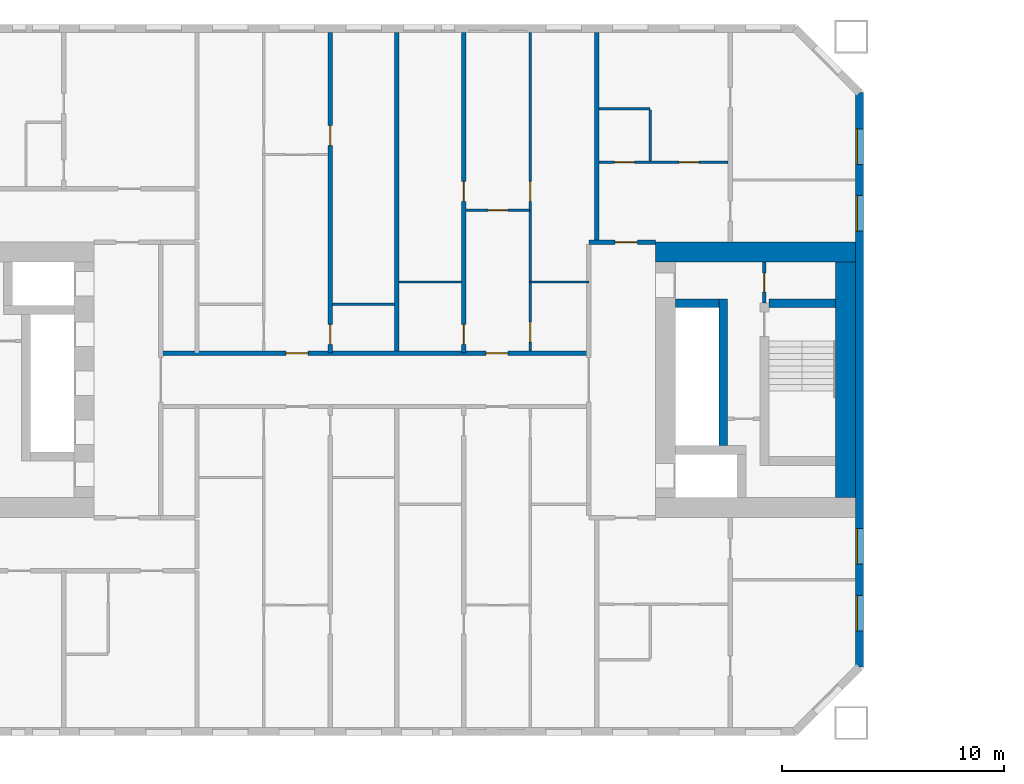
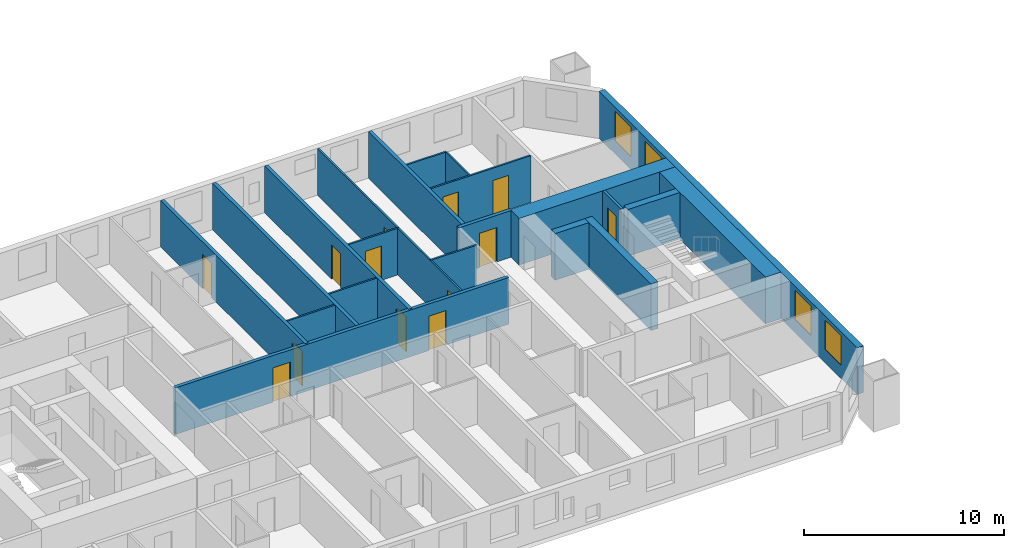
# One storey, part 8 of 17: 21 walls, 13 doors, 4 windows, 17 openings.
"""IFC4 building model written with IfcOpenShell, lengths in metres."""

from ifc_helpers import new_model, si_unit, direction, frame, frame_2d, origin, place, context, subcontext, project, spatial, rectangle, extrude, material, layer, layer_set, type_object, element, fill, save


model = new_model("IFC4")

# Units and contexts
model_context = context("Model", 3, precision=1e-05, world=origin(), true_north=direction((0.0, 1.0)))
body_context = subcontext(model_context, "Body", "Model", "MODEL_VIEW")
ifc_project = project(units=[si_unit("LENGTHUNIT", "METRE"), si_unit("AREAUNIT", "SQUARE_METRE"), si_unit("VOLUMEUNIT", "CUBIC_METRE"), si_unit("PLANEANGLEUNIT", "RADIAN"), si_unit("MASSUNIT", "GRAM", prefix="KILO")], contexts=[model_context])

# Site, building, storey
site_placement = place(None, origin())
site = spatial("IfcSite", under=ifc_project, at=site_placement, CompositionType="ELEMENT")
building_placement = place(site_placement, origin())
building = spatial("IfcBuilding", under=site, at=building_placement, Name="Tuart Gate Housing", CompositionType="ELEMENT")
storey_placement = place(building_placement, frame((0.0, 0.0, 28.800048828125)))
storey = spatial("IfcBuildingStorey", under=building, at=storey_placement, Name="L07", CompositionType="ELEMENT", Elevation=28.800048828125)

# Wall, openings, windows
ifc_material_1 = material(Name="Brick", Category="masonry")
ifc_layer_1 = layer(ifc_material_1, 0.360107421875)
ifc_layer_set_1 = layer_set([ifc_layer_1], Name="Brick pier and spandrel wall 360")
wall_type_1 = type_object("IfcWallType", Name="Brick pier and spandrel wall 360", PredefinedType="STANDARD", material=ifc_layer_set_1)
wall_1_placement = place(storey_placement, frame((75.820068359375, 57.07470703125, 0.0), z_axis=(0.0, 0.0, 1.0), x_axis=(0.0, 1.0, 0.0)))
wall_1 = element("IfcWall", 1, at=wall_1_placement, inside=storey, type_object=wall_type_1, Name="External wall A-E L07", PredefinedType="STANDARD", context=body_context, shape_type="SweptSolid", body=[
    extrude(rectangle(XDim=25.850830078125, YDim=0.360107421875, at=frame_2d((12.92529296875, 0.0))), origin(), (0.0, 0.0, 1.0), 2.849853515625),
])
opening_1_placement = place(wall_1_placement, frame((1.62548828125, 0.0, 0.800048828125)))
opening_1 = element("IfcOpeningElement", 2, at=opening_1_placement, cuts=wall_1, Name="Opening W1", PredefinedType="OPENING", context=body_context, shape_type="SweptSolid", body=[
    extrude(rectangle(XDim=1.60009765625, YDim=1.800048828125, at=frame_2d((0.800048828125, 0.89990234375))), frame((0.0, 0.18994140625, 0.0), z_axis=(0.0, -1.0, 0.0), x_axis=(1.0, 0.0, 0.0)), (0.0, 0.0, 1.0), 0.380126953125),
])
opening_2_placement = place(wall_1_placement, frame((4.62548828125, 0.0, 0.800048828125)))
opening_2 = element("IfcOpeningElement", 3, at=opening_2_placement, cuts=wall_1, Name="Opening W1", PredefinedType="OPENING", context=body_context, shape_type="SweptSolid", body=[
    extrude(rectangle(XDim=1.60009765625, YDim=1.800048828125, at=frame_2d((0.800048828125, 0.89990234375))), frame((0.0, 0.18994140625, 0.0), z_axis=(0.0, -1.0, 0.0), x_axis=(1.0, 0.0, 0.0)), (0.0, 0.0, 1.0), 0.380126953125),
])
opening_3_placement = place(wall_1_placement, frame((19.62548828125, 0.0, 0.800048828125)))
opening_3 = element("IfcOpeningElement", 4, at=opening_3_placement, cuts=wall_1, Name="Opening W1", PredefinedType="OPENING", context=body_context, shape_type="SweptSolid", body=[
    extrude(rectangle(XDim=1.60009765625, YDim=1.800048828125, at=frame_2d((0.800048828125, 0.89990234375))), frame((0.0, 0.18994140625, 0.0), z_axis=(0.0, -1.0, 0.0), x_axis=(1.0, 0.0, 0.0)), (0.0, 0.0, 1.0), 0.380126953125),
])
opening_4_placement = place(wall_1_placement, frame((22.62548828125, 0.0, 0.800048828125)))
opening_4 = element("IfcOpeningElement", 5, at=opening_4_placement, cuts=wall_1, Name="Opening W1", PredefinedType="OPENING", context=body_context, shape_type="SweptSolid", body=[
    extrude(rectangle(XDim=1.60009765625, YDim=1.800048828125, at=frame_2d((0.800048828125, 0.89990234375))), frame((0.0, 0.18994140625, 0.0), z_axis=(0.0, -1.0, 0.0), x_axis=(1.0, 0.0, 0.0)), (0.0, 0.0, 1.0), 0.380126953125),
])
ifc_material_2 = material(Name="Aluminium frame with clear glass", Category="aluminium")
window_type = type_object("IfcWindowType", Name="Punched window 1600 x 1800", PartitioningType="SINGLE_PANEL", PredefinedType="WINDOW", material=ifc_material_2)
window_1_placement = place(opening_1_placement, origin())
window_1 = element("IfcWindow", 6, at=window_1_placement, inside=storey, type_object=window_type, Name="Window W1", OverallHeight=1.800048828125, OverallWidth=1.60009765625, PartitioningType="SINGLE_PANEL", PredefinedType="WINDOW", context=body_context, shape_type="SweptSolid", body=[
    extrude(rectangle(XDim=1.60009765625, YDim=1.800048828125, at=frame_2d((0.800048828125, 0.89990234375))), frame((0.0, 0.150146484375, 0.0), z_axis=(0.0, -1.0, 0.0), x_axis=(1.0, 0.0, 0.0)), (0.0, 0.0, 1.0), 0.06005859375),
])
fill(opening_1, window_1)
window_2_placement = place(opening_2_placement, origin())
window_2 = element("IfcWindow", 7, at=window_2_placement, inside=storey, type_object=window_type, Name="Window W1", OverallHeight=1.800048828125, OverallWidth=1.60009765625, PartitioningType="SINGLE_PANEL", PredefinedType="WINDOW", context=body_context, shape_type="SweptSolid", body=[
    extrude(rectangle(XDim=1.60009765625, YDim=1.800048828125, at=frame_2d((0.800048828125, 0.89990234375))), frame((0.0, 0.150146484375, 0.0), z_axis=(0.0, -1.0, 0.0), x_axis=(1.0, 0.0, 0.0)), (0.0, 0.0, 1.0), 0.06005859375),
])
fill(opening_2, window_2)
window_3_placement = place(opening_3_placement, origin())
window_3 = element("IfcWindow", 8, at=window_3_placement, inside=storey, type_object=window_type, Name="Window W1", OverallHeight=1.800048828125, OverallWidth=1.60009765625, PartitioningType="SINGLE_PANEL", PredefinedType="WINDOW", context=body_context, shape_type="SweptSolid", body=[
    extrude(rectangle(XDim=1.60009765625, YDim=1.800048828125, at=frame_2d((0.800048828125, 0.89990234375))), frame((0.0, 0.150146484375, 0.0), z_axis=(0.0, -1.0, 0.0), x_axis=(1.0, 0.0, 0.0)), (0.0, 0.0, 1.0), 0.06005859375),
])
fill(opening_3, window_3)
window_4_placement = place(opening_4_placement, origin())
window_4 = element("IfcWindow", 9, at=window_4_placement, inside=storey, type_object=window_type, Name="Window W1", OverallHeight=1.800048828125, OverallWidth=1.60009765625, PartitioningType="SINGLE_PANEL", PredefinedType="WINDOW", context=body_context, shape_type="SweptSolid", body=[
    extrude(rectangle(XDim=1.60009765625, YDim=1.800048828125, at=frame_2d((0.800048828125, 0.89990234375))), frame((0.0, 0.150146484375, 0.0), z_axis=(0.0, -1.0, 0.0), x_axis=(1.0, 0.0, 0.0)), (0.0, 0.0, 1.0), 0.06005859375),
])
fill(opening_4, window_4)

# Wall, opening, door
ifc_material_3 = material(Name="Plasterboard partition")
ifc_layer_2 = layer(ifc_material_3, 0.14990234375)
ifc_layer_set_2 = layer_set([ifc_layer_2], Name="Core partition 150")
wall_type_2 = type_object("IfcWallType", Name="Core partition 150", PredefinedType="PARTITIONING", material=ifc_layer_set_2)
wall_2_placement = place(storey_placement, frame((71.5400390625, 73.449951171875, 0.0), z_axis=(0.0, 0.0, 1.0), x_axis=(0.0, 1.0, 0.0)))
wall_2 = element("IfcWall", 10, at=wall_2_placement, inside=storey, type_object=wall_type_2, Name="Core partition AG.9", PredefinedType="PARTITIONING", context=body_context, shape_type="SweptSolid", body=[
    extrude(rectangle(XDim=1.85009765625, YDim=0.14990234375, at=frame_2d((0.925048828125, 0.0))), origin(), (0.0, 0.0, 1.0), 2.849853515625),
])
opening_5_placement = place(wall_2_placement, frame((0.5, 0.0, 0.0)))
opening_5 = element("IfcOpeningElement", 11, at=opening_5_placement, cuts=wall_2, Name="Opening D492", PredefinedType="OPENING", context=body_context, shape_type="SweptSolid", body=[
    extrude(rectangle(XDim=0.85009765625, YDim=2.10009765625, at=frame_2d((0.425048828125, 1.050048828125))), frame((0.0, 0.0849609375, 0.0), z_axis=(0.0, -1.0, 0.0), x_axis=(1.0, 0.0, 0.0)), (0.0, 0.0, 1.0), 0.169921875),
])
ifc_material_4 = material(Name="Steel fire door", Category="steel")
door_type_1 = type_object("IfcDoorType", Name="Service door 850 x 2100 RH", OperationType="SINGLE_SWING_RIGHT", PredefinedType="DOOR", material=ifc_material_4)
door_1_placement = place(opening_5_placement, frame((0.85009765625, 0.0, 0.0), z_axis=(0.0, 0.0, 1.0), x_axis=(-1.0, 0.0, 0.0)))
door_1 = element("IfcDoor", 12, at=door_1_placement, inside=storey, type_object=door_type_1, Name="Service room door AG.ST", OperationType="SINGLE_SWING_RIGHT", OverallHeight=2.10009765625, OverallWidth=0.85009765625, PredefinedType="DOOR", context=body_context, shape_type="SweptSolid", body=[
    extrude(rectangle(XDim=0.85009765625, YDim=2.10009765625, at=frame_2d((0.425048828125, 1.050048828125))), frame((0.0, 0.025146484375, 0.0), z_axis=(0.0, -1.0, 0.0), x_axis=(1.0, 0.0, 0.0)), (0.0, 0.0, 1.0), 0.050048828125),
])
fill(opening_5, door_1)

# Walls
ifc_material_5 = material(Name="Concrete C60", Category="concrete")
ifc_layer_3 = layer(ifc_material_5, 0.39990234375)
ifc_layer_set_3 = layer_set([ifc_layer_3], Name="Core wall 400 C60")
wall_type_3 = type_object("IfcWallType", Name="Core wall 400 C60", PredefinedType="SHEAR", material=ifc_layer_set_3)
wall_3_placement = place(storey_placement, frame((67.5400390625, 73.449951171875, 0.0), z_axis=(0.0, 0.0, 1.0), x_axis=(1.0, 0.0, 0.0)))
element("IfcWall", 13, at=wall_3_placement, inside=storey, type_object=wall_type_3, Name="Core wall AG.4", PredefinedType="SHEAR", context=body_context, shape_type="SweptSolid", body=[
    extrude(rectangle(XDim=1.949951171875, YDim=0.39990234375, at=frame_2d((0.97509765625, 0.0))), origin(), (0.0, 0.0, 1.0), 2.849853515625),
])
wall_4_placement = place(storey_placement, frame((71.739990234375, 73.449951171875, 0.0), z_axis=(0.0, 0.0, 1.0), x_axis=(1.0, 0.0, 0.0)))
element("IfcWall", 14, at=wall_4_placement, inside=storey, type_object=wall_type_3, Name="Core wall AG.5", PredefinedType="SHEAR", context=body_context, shape_type="SweptSolid", body=[
    extrude(rectangle(XDim=3.0, YDim=0.39990234375, at=frame_2d((1.5, 0.0))), origin(), (0.0, 0.0, 1.0), 2.849853515625),
])
wall_5_placement = place(storey_placement, frame((69.68994140625, 67.050048828125, 0.0), z_axis=(0.0, 0.0, 1.0), x_axis=(0.0, 1.0, 0.0)))
element("IfcWall", 15, at=wall_5_placement, inside=storey, type_object=wall_type_3, Name="Core wall AG.6", PredefinedType="SHEAR", context=body_context, shape_type="SweptSolid", body=[
    extrude(rectangle(XDim=6.599853515625, YDim=0.39990234375, at=frame_2d((3.2998046875, 0.0))), origin(), (0.0, 0.0, 1.0), 2.849853515625),
])
ifc_material_6 = material(Name="Concrete C60", Category="concrete")
ifc_layer_4 = layer(ifc_material_6, 0.89990234375)
ifc_layer_set_4 = layer_set([ifc_layer_4], Name="Core wall 900 C60")
wall_type_4 = type_object("IfcWallType", Name="Core wall 900 C60", PredefinedType="SHEAR", material=ifc_layer_set_4)
wall_6_placement = place(storey_placement, frame((75.18994140625, 64.699951171875, 0.0), z_axis=(0.0, 0.0, 1.0), x_axis=(0.0, 1.0, 0.0)))
element("IfcWall", 16, at=wall_6_placement, inside=storey, type_object=wall_type_4, Name="Core wall AG back", PredefinedType="SHEAR", context=body_context, shape_type="SweptSolid", body=[
    extrude(rectangle(XDim=10.60009765625, YDim=0.89990234375, at=frame_2d((5.300048828125, 0.0))), origin(), (0.0, 0.0, 1.0), 2.849853515625),
])
wall_7_placement = place(storey_placement, frame((66.639892578125, 75.75, 0.0), z_axis=(0.0, 0.0, 1.0), x_axis=(1.0, 0.0, 0.0)))
element("IfcWall", 17, at=wall_7_placement, inside=storey, type_object=wall_type_4, Name="Core wall AG north", PredefinedType="SHEAR", context=body_context, shape_type="SweptSolid", body=[
    extrude(rectangle(XDim=9.0, YDim=0.89990234375, at=frame_2d((4.5, 0.0))), origin(), (0.0, 0.0, 1.0), 2.849853515625),
])

# Wall, openings, doors
ifc_material_7 = material(Name="Concrete masonry 15 MPa", Category="masonry")
ifc_layer_5 = layer(ifc_material_7, 0.199951171875)
ifc_layer_set_5 = layer_set([ifc_layer_5], Name="Corridor wall masonry 200")
wall_type_5 = type_object("IfcWallType", Name="Corridor wall masonry 200", PredefinedType="PARTITIONING", material=ifc_layer_set_5)
wall_8_placement = place(storey_placement, frame((44.360107421875, 71.199951171875, 0.0), z_axis=(0.0, 0.0, 1.0), x_axis=(1.0, 0.0, 0.0)))
wall_8 = element("IfcWall", 18, at=wall_8_placement, inside=storey, type_object=wall_type_5, Name="Corridor wall masonry 200", PredefinedType="PARTITIONING", context=body_context, shape_type="SweptSolid", body=[
    extrude(rectangle(XDim=19.27978515625, YDim=0.199951171875, at=frame_2d((9.639892578125, 0.0))), origin(), (0.0, 0.0, 1.0), 2.849853515625),
])
opening_6_placement = place(wall_8_placement, frame((14.639892578125, 0.0, 0.0)))
opening_6 = element("IfcOpeningElement", 19, at=opening_6_placement, cuts=wall_8, Name="Opening D494", PredefinedType="OPENING", context=body_context, shape_type="SweptSolid", body=[
    extrude(rectangle(XDim=1.0, YDim=2.10009765625, at=frame_2d((0.5, 1.050048828125))), frame((0.0, 0.10986328125, 0.0), z_axis=(0.0, -1.0, 0.0), x_axis=(1.0, 0.0, 0.0)), (0.0, 0.0, 1.0), 0.219970703125),
])
opening_7_placement = place(wall_8_placement, frame((5.639892578125, 0.0, 0.0)))
opening_7 = element("IfcOpeningElement", 20, at=opening_7_placement, cuts=wall_8, Name="Opening D495", PredefinedType="OPENING", context=body_context, shape_type="SweptSolid", body=[
    extrude(rectangle(XDim=1.0, YDim=2.10009765625, at=frame_2d((0.5, 1.050048828125))), frame((0.0, 0.10986328125, 0.0), z_axis=(0.0, -1.0, 0.0), x_axis=(1.0, 0.0, 0.0)), (0.0, 0.0, 1.0), 0.219970703125),
])
ifc_material_8 = material(Name="Timber door leaf in steel frame", Category="steel")
door_type_2 = type_object("IfcDoorType", Name="Flat entrance door 1000", OperationType="SINGLE_SWING_LEFT", PredefinedType="DOOR", material=ifc_material_8)
door_2_placement = place(opening_6_placement, origin())
door_2 = element("IfcDoor", 21, at=door_2_placement, inside=storey, type_object=door_type_2, Name="Flat entrance door", OperationType="SINGLE_SWING_LEFT", OverallHeight=2.10009765625, OverallWidth=1.0, PredefinedType="DOOR", context=body_context, shape_type="SweptSolid", body=[
    extrude(rectangle(XDim=1.0, YDim=2.10009765625, at=frame_2d((0.5, 1.050048828125))), frame((0.0, 0.02490234375, 0.0), z_axis=(0.0, -1.0, 0.0), x_axis=(1.0, 0.0, 0.0)), (0.0, 0.0, 1.0), 0.050048828125),
])
fill(opening_6, door_2)
door_3_placement = place(opening_7_placement, origin())
door_3 = element("IfcDoor", 22, at=door_3_placement, inside=storey, type_object=door_type_2, Name="Flat entrance door", OperationType="SINGLE_SWING_LEFT", OverallHeight=2.10009765625, OverallWidth=1.0, PredefinedType="DOOR", context=body_context, shape_type="SweptSolid", body=[
    extrude(rectangle(XDim=1.0, YDim=2.10009765625, at=frame_2d((0.5, 1.050048828125))), frame((0.0, 0.02490234375, 0.0), z_axis=(0.0, -1.0, 0.0), x_axis=(1.0, 0.0, 0.0)), (0.0, 0.0, 1.0), 0.050048828125),
])
fill(opening_7, door_3)

# Wall, opening, door
ifc_material_9 = material(Name="Concrete masonry 15 MPa", Category="masonry")
ifc_layer_6 = layer(ifc_material_9, 0.199951171875)
ifc_layer_set_6 = layer_set([ifc_layer_6], Name="Enclosure wall masonry 200")
wall_type_6 = type_object("IfcWallType", Name="Enclosure wall masonry 200", PredefinedType="PARTITIONING", material=ifc_layer_set_6)
wall_9_placement = place(storey_placement, frame((63.639892578125, 76.199951171875, 0.0), z_axis=(0.0, 0.0, 1.0), x_axis=(1.0, 0.0, 0.0)))
wall_9 = element("IfcWall", 23, at=wall_9_placement, inside=storey, type_object=wall_type_6, Name="Enclosure wall masonry 200", PredefinedType="PARTITIONING", context=body_context, shape_type="SweptSolid", body=[
    extrude(rectangle(XDim=3.0, YDim=0.199951171875, at=frame_2d((1.5, 0.0))), origin(), (0.0, 0.0, 1.0), 2.849853515625),
])
opening_8_placement = place(wall_9_placement, frame((1.179931640625, 0.0, 0.0)))
opening_8 = element("IfcOpeningElement", 24, at=opening_8_placement, cuts=wall_9, Name="Opening D491", PredefinedType="OPENING", context=body_context, shape_type="SweptSolid", body=[
    extrude(rectangle(XDim=1.0, YDim=2.10009765625, at=frame_2d((0.5, 1.050048828125))), frame((0.0, 0.10986328125, 0.0), z_axis=(0.0, -1.0, 0.0), x_axis=(1.0, 0.0, 0.0)), (0.0, 0.0, 1.0), 0.219970703125),
])
door_4_placement = place(opening_8_placement, origin())
door_4 = element("IfcDoor", 25, at=door_4_placement, inside=storey, type_object=door_type_2, Name="Flat entrance door", OperationType="SINGLE_SWING_LEFT", OverallHeight=2.10009765625, OverallWidth=1.0, PredefinedType="DOOR", context=body_context, shape_type="SweptSolid", body=[
    extrude(rectangle(XDim=1.0, YDim=2.10009765625, at=frame_2d((0.5, 1.050048828125))), frame((0.0, 0.02490234375, 0.0), z_axis=(0.0, -1.0, 0.0), x_axis=(1.0, 0.0, 0.0)), (0.0, 0.0, 1.0), 0.050048828125),
])
fill(opening_8, door_4)

# Walls
ifc_material_10 = material(Name="Gypsum board on steel studs", Category="steel")
ifc_layer_7 = layer(ifc_material_10, 0.10009765625)
ifc_layer_set_7 = layer_set([ifc_layer_7], Name="Partition 100")
wall_type_7 = type_object("IfcWallType", Name="Partition 100", PredefinedType="PARTITIONING", material=ifc_layer_set_7)
for number, where, z_axis, x_axis, name in (
    (26, (52.10009765625, 73.39990234375, 0.0), (0.0, 0.0, 1.0), (1.0, 0.0, 0.0), "Partition 100"),
    (27, (55.10009765625, 74.39990234375, 0.0), (0.0, 0.0, 1.0), (1.0, 0.0, 0.0), "Partition 100"),
):
    element("IfcWall", number, at=place(storey_placement, frame(where, z_axis=z_axis, x_axis=x_axis)), inside=storey, type_object=wall_type_7, Name=name, PredefinedType="PARTITIONING", context=body_context, shape_type="SweptSolid", body=[
        extrude(rectangle(XDim=2.7998046875, YDim=0.10009765625, at=frame_2d((1.39990234375, 0.0))), origin(), (0.0, 0.0, 1.0), 2.849853515625),
    ])
wall_10_placement = place(storey_placement, frame((61.0, 74.39990234375, 0.0), z_axis=(0.0, 0.0, 1.0), x_axis=(1.0, 0.0, 0.0)))
element("IfcWall", 28, at=wall_10_placement, inside=storey, type_object=wall_type_7, Name="Partition 100", PredefinedType="PARTITIONING", context=body_context, shape_type="SweptSolid", body=[
    extrude(rectangle(XDim=2.639892578125, YDim=0.10009765625, at=frame_2d((1.31982421875, 0.0))), origin(), (0.0, 0.0, 1.0), 2.849853515625),
])

# Wall, opening, door
wall_11_placement = place(storey_placement, frame((58.10009765625, 77.639892578125, 0.0), z_axis=(0.0, 0.0, 1.0), x_axis=(1.0, 0.0, 0.0)))
wall_11 = element("IfcWall", 29, at=wall_11_placement, inside=storey, type_object=wall_type_7, Name="Partition 100", PredefinedType="PARTITIONING", context=body_context, shape_type="SweptSolid", body=[
    extrude(rectangle(XDim=2.89990234375, YDim=0.10009765625, at=frame_2d((1.449951171875, 0.0))), origin(), (0.0, 0.0, 1.0), 2.849853515625),
])
opening_9_placement = place(wall_11_placement, frame((1.0, 0.0, 0.0)))
opening_9 = element("IfcOpeningElement", 30, at=opening_9_placement, cuts=wall_11, Name="Opening D488", PredefinedType="OPENING", context=body_context, shape_type="SweptSolid", body=[
    extrude(rectangle(XDim=0.89990234375, YDim=2.10009765625, at=frame_2d((0.449951171875, 1.050048828125))), frame((0.0, 0.06005859375, 0.0), z_axis=(0.0, -1.0, 0.0), x_axis=(1.0, 0.0, 0.0)), (0.0, 0.0, 1.0), 0.1201171875),
])
ifc_material_11 = material(Name="Timber door leaf in steel frame", Category="steel")
door_type_3 = type_object("IfcDoorType", Name="Internal door 900", OperationType="SINGLE_SWING_LEFT", PredefinedType="DOOR", material=ifc_material_11)
door_5_placement = place(opening_9_placement, frame((0.89990234375, 0.0, 0.0), z_axis=(0.0, 0.0, 1.0), x_axis=(-1.0, 0.0, 0.0)))
door_5 = element("IfcDoor", 31, at=door_5_placement, inside=storey, type_object=door_type_3, Name="Internal door", OperationType="SINGLE_SWING_LEFT", OverallHeight=2.10009765625, OverallWidth=0.89990234375, PredefinedType="DOOR", context=body_context, shape_type="SweptSolid", body=[
    extrude(rectangle(XDim=0.89990234375, YDim=2.10009765625, at=frame_2d((0.449951171875, 1.050048828125))), frame((0.0, 0.025146484375, 0.0), z_axis=(0.0, -1.0, 0.0), x_axis=(1.0, 0.0, 0.0)), (0.0, 0.0, 1.0), 0.050048828125),
])
fill(opening_9, door_5)

# Wall, openings, doors
wall_12_placement = place(storey_placement, frame((64.10009765625, 79.800048828125, 0.0), z_axis=(0.0, 0.0, 1.0), x_axis=(1.0, 0.0, 0.0)))
wall_12 = element("IfcWall", 32, at=wall_12_placement, inside=storey, type_object=wall_type_7, Name="Partition 100", PredefinedType="PARTITIONING", context=body_context, shape_type="SweptSolid", body=[
    extrude(rectangle(XDim=5.7998046875, YDim=0.10009765625, at=frame_2d((2.89990234375, 0.0))), origin(), (0.0, 0.0, 1.0), 2.849853515625),
])
opening_10_placement = place(wall_12_placement, frame((3.60009765625, 0.0, 0.0)))
opening_10 = element("IfcOpeningElement", 33, at=opening_10_placement, cuts=wall_12, Name="Opening D476", PredefinedType="OPENING", context=body_context, shape_type="SweptSolid", body=[
    extrude(rectangle(XDim=0.89990234375, YDim=2.10009765625, at=frame_2d((0.449951171875, 1.050048828125))), frame((0.0, 0.06005859375, 0.0), z_axis=(0.0, -1.0, 0.0), x_axis=(1.0, 0.0, 0.0)), (0.0, 0.0, 1.0), 0.1201171875),
])
opening_11_placement = place(wall_12_placement, frame((0.699951171875, 0.0, 0.0)))
opening_11 = element("IfcOpeningElement", 34, at=opening_11_placement, cuts=wall_12, Name="Opening D475", PredefinedType="OPENING", context=body_context, shape_type="SweptSolid", body=[
    extrude(rectangle(XDim=0.89990234375, YDim=2.10009765625, at=frame_2d((0.449951171875, 1.050048828125))), frame((0.0, 0.06005859375, 0.0), z_axis=(0.0, -1.0, 0.0), x_axis=(1.0, 0.0, 0.0)), (0.0, 0.0, 1.0), 0.1201171875),
])
ifc_material_12 = material(Name="Timber door leaf in steel frame", Category="steel")
door_type_4 = type_object("IfcDoorType", Name="Bathroom door 900 RH", OperationType="SINGLE_SWING_RIGHT", PredefinedType="DOOR", material=ifc_material_12)
door_6_placement = place(opening_11_placement, origin())
door_6 = element("IfcDoor", 35, at=door_6_placement, inside=storey, type_object=door_type_4, Name="Bathroom door", OperationType="SINGLE_SWING_RIGHT", OverallHeight=2.10009765625, OverallWidth=0.89990234375, PredefinedType="DOOR", context=body_context, shape_type="SweptSolid", body=[
    extrude(rectangle(XDim=0.89990234375, YDim=2.10009765625, at=frame_2d((0.449951171875, 1.050048828125))), frame((0.0, 0.02490234375, 0.0), z_axis=(0.0, -1.0, 0.0), x_axis=(1.0, 0.0, 0.0)), (0.0, 0.0, 1.0), 0.050048828125),
])
fill(opening_11, door_6)
door_7_placement = place(opening_10_placement, frame((0.89990234375, 0.0, 0.0), z_axis=(0.0, 0.0, 1.0), x_axis=(-1.0, 0.0, 0.0)))
door_7 = element("IfcDoor", 36, at=door_7_placement, inside=storey, type_object=door_type_3, Name="Internal door", OperationType="SINGLE_SWING_LEFT", OverallHeight=2.10009765625, OverallWidth=0.89990234375, PredefinedType="DOOR", context=body_context, shape_type="SweptSolid", body=[
    extrude(rectangle(XDim=0.89990234375, YDim=2.10009765625, at=frame_2d((0.449951171875, 1.050048828125))), frame((0.0, 0.025146484375, 0.0), z_axis=(0.0, -1.0, 0.0), x_axis=(1.0, 0.0, 0.0)), (0.0, 0.0, 1.0), 0.050048828125),
])
fill(opening_10, door_7)

# Wall
wall_13_placement = place(storey_placement, frame((64.10009765625, 82.199951171875, 0.0), z_axis=(0.0, 0.0, 1.0), x_axis=(1.0, 0.0, 0.0)))
element("IfcWall", 37, at=wall_13_placement, inside=storey, type_object=wall_type_7, Name="Partition 100", PredefinedType="PARTITIONING", context=body_context, shape_type="SweptSolid", body=[
    extrude(rectangle(XDim=2.2998046875, YDim=0.10009765625, at=frame_2d((1.14990234375, 0.0))), origin(), (0.0, 0.0, 1.0), 2.849853515625),
])

# Wall, openings, doors
wall_14_placement = place(storey_placement, frame((61.0, 71.300048828125, 0.0), z_axis=(0.0, 0.0, 1.0), x_axis=(0.0, 1.0, 0.0)))
wall_14 = element("IfcWall", 38, at=wall_14_placement, inside=storey, type_object=wall_type_7, Name="Partition 100", PredefinedType="PARTITIONING", context=body_context, shape_type="SweptSolid", body=[
    extrude(rectangle(XDim=14.33984375, YDim=0.10009765625, at=frame_2d((7.169921875, 0.0))), origin(), (0.0, 0.0, 1.0), 2.849853515625),
])
opening_12_placement = place(wall_14_placement, frame((6.739990234375, 0.0, 0.0)))
opening_12 = element("IfcOpeningElement", 39, at=opening_12_placement, cuts=wall_14, Name="Opening D483", PredefinedType="OPENING", context=body_context, shape_type="SweptSolid", body=[
    extrude(rectangle(XDim=0.89990234375, YDim=2.10009765625, at=frame_2d((0.449951171875, 1.050048828125))), frame((0.0, 0.06005859375, 0.0), z_axis=(0.0, -1.0, 0.0), x_axis=(1.0, 0.0, 0.0)), (0.0, 0.0, 1.0), 0.1201171875),
])
opening_13_placement = place(wall_14_placement, frame((0.39990234375, 0.0, 0.0)))
opening_13 = element("IfcOpeningElement", 40, at=opening_13_placement, cuts=wall_14, Name="Opening D482", PredefinedType="OPENING", context=body_context, shape_type="SweptSolid", body=[
    extrude(rectangle(XDim=0.89990234375, YDim=2.10009765625, at=frame_2d((0.449951171875, 1.050048828125))), frame((0.0, 0.06005859375, 0.0), z_axis=(0.0, -1.0, 0.0), x_axis=(1.0, 0.0, 0.0)), (0.0, 0.0, 1.0), 0.1201171875),
])
door_8_placement = place(opening_13_placement, frame((0.89990234375, 0.0, 0.0), z_axis=(0.0, 0.0, 1.0), x_axis=(-1.0, 0.0, 0.0)))
door_8 = element("IfcDoor", 41, at=door_8_placement, inside=storey, type_object=door_type_4, Name="Bathroom door", OperationType="SINGLE_SWING_RIGHT", OverallHeight=2.10009765625, OverallWidth=0.89990234375, PredefinedType="DOOR", context=body_context, shape_type="SweptSolid", body=[
    extrude(rectangle(XDim=0.89990234375, YDim=2.10009765625, at=frame_2d((0.449951171875, 1.050048828125))), frame((0.0, 0.025146484375, 0.0), z_axis=(0.0, -1.0, 0.0), x_axis=(1.0, 0.0, 0.0)), (0.0, 0.0, 1.0), 0.050048828125),
])
fill(opening_13, door_8)
ifc_material_13 = material(Name="Timber door leaf in steel frame", Category="steel")
door_type_5 = type_object("IfcDoorType", Name="Internal door 900 RH", OperationType="SINGLE_SWING_RIGHT", PredefinedType="DOOR", material=ifc_material_13)
door_9_placement = place(opening_12_placement, frame((0.89990234375, 0.0, 0.0), z_axis=(0.0, 0.0, 1.0), x_axis=(-1.0, 0.0, 0.0)))
door_9 = element("IfcDoor", 42, at=door_9_placement, inside=storey, type_object=door_type_5, Name="Internal door", OperationType="SINGLE_SWING_RIGHT", OverallHeight=2.10009765625, OverallWidth=0.89990234375, PredefinedType="DOOR", context=body_context, shape_type="SweptSolid", body=[
    extrude(rectangle(XDim=0.89990234375, YDim=2.10009765625, at=frame_2d((0.449951171875, 1.050048828125))), frame((0.0, 0.025146484375, 0.0), z_axis=(0.0, -1.0, 0.0), x_axis=(1.0, 0.0, 0.0)), (0.0, 0.0, 1.0), 0.050048828125),
])
fill(opening_12, door_9)

# Wall
wall_15_placement = place(storey_placement, frame((66.39990234375, 79.85009765625, 0.0), z_axis=(0.0, 0.0, 1.0), x_axis=(0.0, 1.0, 0.0)))
element("IfcWall", 43, at=wall_15_placement, inside=storey, type_object=wall_type_7, Name="Partition 100", PredefinedType="PARTITIONING", context=body_context, shape_type="SweptSolid", body=[
    extrude(rectangle(XDim=2.2998046875, YDim=0.10009765625, at=frame_2d((1.14990234375, 0.0))), origin(), (0.0, 0.0, 1.0), 2.849853515625),
])

# Wall, openings, doors
ifc_material_14 = material(Name="Concrete C40", Category="concrete")
ifc_layer_8 = layer(ifc_material_14, 0.199951171875)
ifc_layer_set_8 = layer_set([ifc_layer_8], Name="Party wall concrete C40 200")
wall_type_8 = type_object("IfcWallType", Name="Party wall concrete C40 200", PredefinedType="SOLIDWALL", material=ifc_layer_set_8)
wall_16_placement = place(storey_placement, frame((52.0, 71.199951171875, 0.0), z_axis=(0.0, 0.0, 1.0), x_axis=(0.0, 1.0, 0.0)))
wall_16 = element("IfcWall", 44, at=wall_16_placement, inside=storey, type_object=wall_type_8, Name="Party wall concrete C40 200", PredefinedType="SOLIDWALL", context=body_context, shape_type="SweptSolid", body=[
    extrude(rectangle(XDim=14.43994140625, YDim=0.199951171875, at=frame_2d((7.219970703125, 0.0))), origin(), (0.0, 0.0, 1.0), 2.849853515625),
])
opening_14_placement = place(wall_16_placement, frame((9.340087890625, 0.0, 0.0)))
opening_14 = element("IfcOpeningElement", 45, at=opening_14_placement, cuts=wall_16, Name="Opening D485", PredefinedType="OPENING", context=body_context, shape_type="SweptSolid", body=[
    extrude(rectangle(XDim=0.89990234375, YDim=2.10009765625, at=frame_2d((0.449951171875, 1.050048828125))), frame((0.0, 0.10986328125, 0.0), z_axis=(0.0, -1.0, 0.0), x_axis=(1.0, 0.0, 0.0)), (0.0, 0.0, 1.0), 0.219970703125),
])
opening_15_placement = place(wall_16_placement, frame((0.39990234375, 0.0, 0.0)))
opening_15 = element("IfcOpeningElement", 46, at=opening_15_placement, cuts=wall_16, Name="Opening D484", PredefinedType="OPENING", context=body_context, shape_type="SweptSolid", body=[
    extrude(rectangle(XDim=0.89990234375, YDim=2.10009765625, at=frame_2d((0.449951171875, 1.050048828125))), frame((0.0, 0.10986328125, 0.0), z_axis=(0.0, -1.0, 0.0), x_axis=(1.0, 0.0, 0.0)), (0.0, 0.0, 1.0), 0.219970703125),
])
door_10_placement = place(opening_15_placement, frame((0.89990234375, 0.0, 0.0), z_axis=(0.0, 0.0, 1.0), x_axis=(-1.0, 0.0, 0.0)))
door_10 = element("IfcDoor", 47, at=door_10_placement, inside=storey, type_object=door_type_4, Name="Bathroom door", OperationType="SINGLE_SWING_RIGHT", OverallHeight=2.10009765625, OverallWidth=0.89990234375, PredefinedType="DOOR", context=body_context, shape_type="SweptSolid", body=[
    extrude(rectangle(XDim=0.89990234375, YDim=2.10009765625, at=frame_2d((0.449951171875, 1.050048828125))), frame((0.0, 0.025146484375, 0.0), z_axis=(0.0, -1.0, 0.0), x_axis=(1.0, 0.0, 0.0)), (0.0, 0.0, 1.0), 0.050048828125),
])
fill(opening_15, door_10)
door_11_placement = place(opening_14_placement, frame((0.89990234375, 0.0, 0.0), z_axis=(0.0, 0.0, 1.0), x_axis=(-1.0, 0.0, 0.0)))
door_11 = element("IfcDoor", 48, at=door_11_placement, inside=storey, type_object=door_type_3, Name="Internal door", OperationType="SINGLE_SWING_LEFT", OverallHeight=2.10009765625, OverallWidth=0.89990234375, PredefinedType="DOOR", context=body_context, shape_type="SweptSolid", body=[
    extrude(rectangle(XDim=0.89990234375, YDim=2.10009765625, at=frame_2d((0.449951171875, 1.050048828125))), frame((0.0, 0.025146484375, 0.0), z_axis=(0.0, -1.0, 0.0), x_axis=(1.0, 0.0, 0.0)), (0.0, 0.0, 1.0), 0.050048828125),
])
fill(opening_14, door_11)

wall_17_placement = place(storey_placement, frame((58.0, 71.199951171875, 0.0), z_axis=(0.0, 0.0, 1.0), x_axis=(0.0, 1.0, 0.0)))
wall_17 = element("IfcWall", 49, at=wall_17_placement, inside=storey, type_object=wall_type_8, Name="Party wall concrete C40 200", PredefinedType="SOLIDWALL", context=body_context, shape_type="SweptSolid", body=[
    extrude(rectangle(XDim=14.43994140625, YDim=0.199951171875, at=frame_2d((7.219970703125, 0.0))), origin(), (0.0, 0.0, 1.0), 2.849853515625),
])
opening_16_placement = place(wall_17_placement, frame((6.840087890625, 0.0, 0.0)))
opening_16 = element("IfcOpeningElement", 50, at=opening_16_placement, cuts=wall_17, Name="Opening D487", PredefinedType="OPENING", context=body_context, shape_type="SweptSolid", body=[
    extrude(rectangle(XDim=0.89990234375, YDim=2.10009765625, at=frame_2d((0.449951171875, 1.050048828125))), frame((0.0, 0.10986328125, 0.0), z_axis=(0.0, -1.0, 0.0), x_axis=(1.0, 0.0, 0.0)), (0.0, 0.0, 1.0), 0.219970703125),
])
opening_17_placement = place(wall_17_placement, frame((0.39990234375, 0.0, 0.0)))
opening_17 = element("IfcOpeningElement", 51, at=opening_17_placement, cuts=wall_17, Name="Opening D486", PredefinedType="OPENING", context=body_context, shape_type="SweptSolid", body=[
    extrude(rectangle(XDim=0.89990234375, YDim=2.10009765625, at=frame_2d((0.449951171875, 1.050048828125))), frame((0.0, 0.10986328125, 0.0), z_axis=(0.0, -1.0, 0.0), x_axis=(1.0, 0.0, 0.0)), (0.0, 0.0, 1.0), 0.219970703125),
])
ifc_material_15 = material(Name="Timber door leaf in steel frame", Category="steel")
door_type_6 = type_object("IfcDoorType", Name="Bathroom door 900", OperationType="SINGLE_SWING_LEFT", PredefinedType="DOOR", material=ifc_material_15)
door_12_placement = place(opening_17_placement, origin())
door_12 = element("IfcDoor", 52, at=door_12_placement, inside=storey, type_object=door_type_6, Name="Bathroom door", OperationType="SINGLE_SWING_LEFT", OverallHeight=2.10009765625, OverallWidth=0.89990234375, PredefinedType="DOOR", context=body_context, shape_type="SweptSolid", body=[
    extrude(rectangle(XDim=0.89990234375, YDim=2.10009765625, at=frame_2d((0.449951171875, 1.050048828125))), frame((0.0, 0.02490234375, 0.0), z_axis=(0.0, -1.0, 0.0), x_axis=(1.0, 0.0, 0.0)), (0.0, 0.0, 1.0), 0.050048828125),
])
fill(opening_17, door_12)
door_13_placement = place(opening_16_placement, origin())
door_13 = element("IfcDoor", 53, at=door_13_placement, inside=storey, type_object=door_type_3, Name="Internal door", OperationType="SINGLE_SWING_LEFT", OverallHeight=2.10009765625, OverallWidth=0.89990234375, PredefinedType="DOOR", context=body_context, shape_type="SweptSolid", body=[
    extrude(rectangle(XDim=0.89990234375, YDim=2.10009765625, at=frame_2d((0.449951171875, 1.050048828125))), frame((0.0, 0.02490234375, 0.0), z_axis=(0.0, -1.0, 0.0), x_axis=(1.0, 0.0, 0.0)), (0.0, 0.0, 1.0), 0.050048828125),
])
fill(opening_16, door_13)

# Walls
wall_18_placement = place(storey_placement, frame((64.0, 76.199951171875, 0.0), z_axis=(0.0, 0.0, 1.0), x_axis=(0.0, 1.0, 0.0)))
element("IfcWall", 54, at=wall_18_placement, inside=storey, type_object=wall_type_8, Name="Party wall concrete C40 200", PredefinedType="SOLIDWALL", context=body_context, shape_type="SweptSolid", body=[
    extrude(rectangle(XDim=9.43994140625, YDim=0.199951171875, at=frame_2d((4.719970703125, 0.0))), origin(), (0.0, 0.0, 1.0), 2.849853515625),
])
ifc_material_16 = material(Name="Concrete masonry 15 MPa", Category="masonry")
ifc_layer_9 = layer(ifc_material_16, 0.199951171875)
ifc_layer_set_9 = layer_set([ifc_layer_9], Name="Party wall masonry 200")
wall_type_9 = type_object("IfcWallType", Name="Party wall masonry 200", PredefinedType="PARTITIONING", material=ifc_layer_set_9)
wall_19_placement = place(storey_placement, frame((55.0, 71.300048828125, 0.0), z_axis=(0.0, 0.0, 1.0), x_axis=(0.0, 1.0, 0.0)))
element("IfcWall", 55, at=wall_19_placement, inside=storey, type_object=wall_type_9, Name="Party wall masonry 200", PredefinedType="PARTITIONING", context=body_context, shape_type="SweptSolid", body=[
    extrude(rectangle(XDim=14.33984375, YDim=0.199951171875, at=frame_2d((7.169921875, 0.0))), origin(), (0.0, 0.0, 1.0), 2.849853515625),
])

save(model, "model.ifc")
